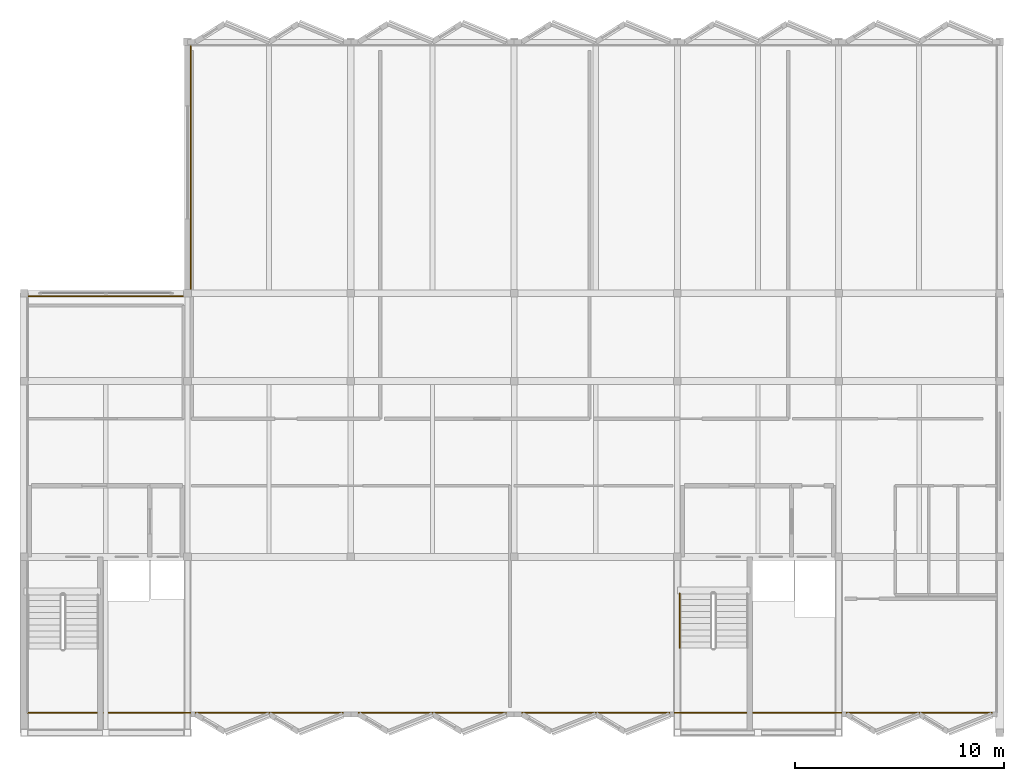
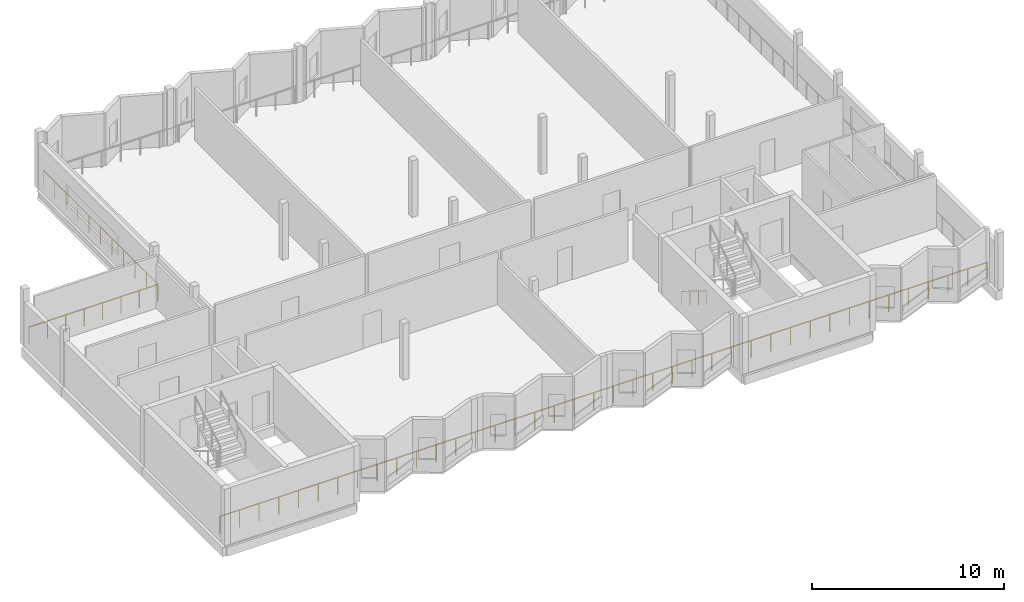
# One storey, part 9 of 11: 4 railings.
"""IFC4 building model written with IfcOpenShell, lengths in metres."""

from ifc_helpers import new_model, si_unit, direction, frame, origin, origin_2d, place, context, subcontext, project, spatial, circle, extrude, material, type_object, element, save


model = new_model("IFC4")

# Units and contexts
model_context = context("Model", 3, precision=1e-05, world=origin(), true_north=direction((0.0, 1.0)))
body_context = subcontext(model_context, "Body", "Model", "MODEL_VIEW")
ifc_project = project(units=[si_unit("LENGTHUNIT", "METRE"), si_unit("AREAUNIT", "SQUARE_METRE"), si_unit("VOLUMEUNIT", "CUBIC_METRE"), si_unit("PLANEANGLEUNIT", "RADIAN"), si_unit("MASSUNIT", "GRAM", prefix="KILO")], contexts=[model_context])

# Site, building, storey
site_placement = place(None, origin())
site = spatial("IfcSite", under=ifc_project, at=site_placement, CompositionType="ELEMENT")
building_placement = place(site_placement, origin())
building = spatial("IfcBuilding", under=site, at=building_placement, Name="Vharandega Faculty of Natural Sciences", CompositionType="ELEMENT")
storey_placement = place(building_placement, frame((0.0, 0.0, 39.60009765625)))
storey = spatial("IfcBuildingStorey", under=building, at=storey_placement, Name="L10", CompositionType="ELEMENT", Elevation=39.60009765625)

# Railings
ifc_material_1 = material(Name="Brushed stainless steel handrail", Category="steel")
railing_type_1 = type_object("IfcRailingType", Name="Stair Tubular Handrail 900", PredefinedType="HANDRAIL", material=ifc_material_1)
railing_1_placement = place(storey_placement, frame((146.110107421875, 70.659912109375, 0.179931640625)))
element("IfcRailing", 1, at=railing_1_placement, inside=storey, type_object=railing_type_1, Name="L10 ST2 stair handrail 1", PredefinedType="HANDRAIL", context=body_context, shape_type="SweptSolid", body=[
    extrude(circle(Radius=0.02392578125, at=origin_2d()), frame((0.0, 0.0, 0.8759765625), z_axis=(0.0, -0.849646306263, 0.527352969322), x_axis=(1.0, 0.0, 0.0)), (0.0, 0.0, 1.0), 3.07177734375),
    extrude(circle(Radius=0.02099609375, at=origin_2d()), origin(), (0.0, 0.0, 1.0), 0.851806640625),
    extrude(circle(Radius=0.02099609375, at=origin_2d()), frame((0.0, -0.869873046875, 0.5400390625)), (0.0, 0.0, 1.0), 0.851806640625),
    extrude(circle(Radius=0.02099609375, at=origin_2d()), frame((0.0, -1.739990234375, 1.079833984375)), (0.0, 0.0, 1.0), 0.851806640625),
    extrude(circle(Radius=0.02099609375, at=origin_2d()), frame((0.0, -2.60986328125, 1.619873046875)), (0.0, 0.0, 1.0), 0.851806640625),
])
ifc_material_2 = material(Name="Galvanised painted steel balustrade", Category="steel")
railing_type_2 = type_object("IfcRailingType", Name="Terrace Steel Guardrail 1100", PredefinedType="GUARDRAIL", material=ifc_material_2)
railing_2_placement = place(storey_placement, frame((114.97509765625, 64.949951171875, 0.0)))
element("IfcRailing", 2, at=railing_2_placement, inside=storey, type_object=railing_type_2, Name="Perimeter Sill Guard L10 #1", PredefinedType="GUARDRAIL", context=body_context, shape_type="SweptSolid", body=[
    extrude(circle(Radius=0.02392578125, at=origin_2d()), frame((0.0, 0.0, 1.076171875), z_axis=(1.0, 0.0, 0.0), x_axis=(0.0, 1.0, 0.0)), (0.0, 0.0, 1.0), 46.25),
    extrude(circle(Radius=0.02099609375, at=origin_2d()), origin(), (0.0, 0.0, 1.0), 1.052001953125),
    extrude(circle(Radius=0.02099609375, at=origin_2d()), frame((1.185791015625, 0.0, 0.0)), (0.0, 0.0, 1.0), 1.052001953125),
    extrude(circle(Radius=0.02099609375, at=origin_2d()), frame((2.371826171875, 0.0, 0.0)), (0.0, 0.0, 1.0), 1.052001953125),
    extrude(circle(Radius=0.02099609375, at=origin_2d()), frame((3.5576171875, 0.0, 0.0)), (0.0, 0.0, 1.0), 1.052001953125),
    extrude(circle(Radius=0.02099609375, at=origin_2d()), frame((4.74365234375, 0.0, 0.0)), (0.0, 0.0, 1.0), 1.052001953125),
    extrude(circle(Radius=0.02099609375, at=origin_2d()), frame((5.929443359375, 0.0, 0.0)), (0.0, 0.0, 1.0), 1.052001953125),
    extrude(circle(Radius=0.02099609375, at=origin_2d()), frame((7.115478515625, 0.0, 0.0)), (0.0, 0.0, 1.0), 1.052001953125),
    extrude(circle(Radius=0.02099609375, at=origin_2d()), frame((8.30126953125, 0.0, 0.0)), (0.0, 0.0, 1.0), 1.052001953125),
    extrude(circle(Radius=0.02099609375, at=origin_2d()), frame((9.487060546875, 0.0, 0.0)), (0.0, 0.0, 1.0), 1.052001953125),
    extrude(circle(Radius=0.02099609375, at=origin_2d()), frame((10.673095703125, 0.0, 0.0)), (0.0, 0.0, 1.0), 1.052001953125),
    extrude(circle(Radius=0.02099609375, at=origin_2d()), frame((11.85888671875, 0.0, 0.0)), (0.0, 0.0, 1.0), 1.052001953125),
    extrude(circle(Radius=0.02099609375, at=origin_2d()), frame((13.044921875, 0.0, 0.0)), (0.0, 0.0, 1.0), 1.052001953125),
    extrude(circle(Radius=0.02099609375, at=origin_2d()), frame((14.230712890625, 0.0, 0.0)), (0.0, 0.0, 1.0), 1.052001953125),
    extrude(circle(Radius=0.02099609375, at=origin_2d()), frame((15.416748046875, 0.0, 0.0)), (0.0, 0.0, 1.0), 1.052001953125),
    extrude(circle(Radius=0.02099609375, at=origin_2d()), frame((16.6025390625, 0.0, 0.0)), (0.0, 0.0, 1.0), 1.052001953125),
    extrude(circle(Radius=0.02099609375, at=origin_2d()), frame((17.78857421875, 0.0, 0.0)), (0.0, 0.0, 1.0), 1.052001953125),
    extrude(circle(Radius=0.02099609375, at=origin_2d()), frame((18.974365234375, 0.0, 0.0)), (0.0, 0.0, 1.0), 1.052001953125),
    extrude(circle(Radius=0.02099609375, at=origin_2d()), frame((20.16015625, 0.0, 0.0)), (0.0, 0.0, 1.0), 1.052001953125),
    extrude(circle(Radius=0.02099609375, at=origin_2d()), frame((21.34619140625, 0.0, 0.0)), (0.0, 0.0, 1.0), 1.052001953125),
    extrude(circle(Radius=0.02099609375, at=origin_2d()), frame((22.531982421875, 0.0, 0.0)), (0.0, 0.0, 1.0), 1.052001953125),
    extrude(circle(Radius=0.02099609375, at=origin_2d()), frame((23.718017578125, 0.0, 0.0)), (0.0, 0.0, 1.0), 1.052001953125),
    extrude(circle(Radius=0.02099609375, at=origin_2d()), frame((24.90380859375, 0.0, 0.0)), (0.0, 0.0, 1.0), 1.052001953125),
    extrude(circle(Radius=0.02099609375, at=origin_2d()), frame((26.08984375, 0.0, 0.0)), (0.0, 0.0, 1.0), 1.052001953125),
    extrude(circle(Radius=0.02099609375, at=origin_2d()), frame((27.275634765625, 0.0, 0.0)), (0.0, 0.0, 1.0), 1.052001953125),
    extrude(circle(Radius=0.02099609375, at=origin_2d()), frame((28.46142578125, 0.0, 0.0)), (0.0, 0.0, 1.0), 1.052001953125),
    extrude(circle(Radius=0.02099609375, at=origin_2d()), frame((29.6474609375, 0.0, 0.0)), (0.0, 0.0, 1.0), 1.052001953125),
    extrude(circle(Radius=0.02099609375, at=origin_2d()), frame((30.833251953125, 0.0, 0.0)), (0.0, 0.0, 1.0), 1.052001953125),
    extrude(circle(Radius=0.02099609375, at=origin_2d()), frame((32.019287109375, 0.0, 0.0)), (0.0, 0.0, 1.0), 1.052001953125),
    extrude(circle(Radius=0.02099609375, at=origin_2d()), frame((33.205078125, 0.0, 0.0)), (0.0, 0.0, 1.0), 1.052001953125),
    extrude(circle(Radius=0.02099609375, at=origin_2d()), frame((34.39111328125, 0.0, 0.0)), (0.0, 0.0, 1.0), 1.052001953125),
    extrude(circle(Radius=0.02099609375, at=origin_2d()), frame((35.576904296875, 0.0, 0.0)), (0.0, 0.0, 1.0), 1.052001953125),
    extrude(circle(Radius=0.02099609375, at=origin_2d()), frame((36.762939453125, 0.0, 0.0)), (0.0, 0.0, 1.0), 1.052001953125),
    extrude(circle(Radius=0.02099609375, at=origin_2d()), frame((37.94873046875, 0.0, 0.0)), (0.0, 0.0, 1.0), 1.052001953125),
    extrude(circle(Radius=0.02099609375, at=origin_2d()), frame((39.134521484375, 0.0, 0.0)), (0.0, 0.0, 1.0), 1.052001953125),
    extrude(circle(Radius=0.02099609375, at=origin_2d()), frame((40.320556640625, 0.0, 0.0)), (0.0, 0.0, 1.0), 1.052001953125),
    extrude(circle(Radius=0.02099609375, at=origin_2d()), frame((41.50634765625, 0.0, 0.0)), (0.0, 0.0, 1.0), 1.052001953125),
    extrude(circle(Radius=0.02099609375, at=origin_2d()), frame((42.6923828125, 0.0, 0.0)), (0.0, 0.0, 1.0), 1.052001953125),
    extrude(circle(Radius=0.02099609375, at=origin_2d()), frame((43.878173828125, 0.0, 0.0)), (0.0, 0.0, 1.0), 1.052001953125),
    extrude(circle(Radius=0.02099609375, at=origin_2d()), frame((45.064208984375, 0.0, 0.0)), (0.0, 0.0, 1.0), 1.052001953125),
    extrude(circle(Radius=0.02099609375, at=origin_2d()), frame((46.25, 0.0, 0.0)), (0.0, 0.0, 1.0), 1.052001953125),
])
railing_3_placement = place(storey_placement, frame((122.75, 96.824951171875, 0.0)))
element("IfcRailing", 3, at=railing_3_placement, inside=storey, type_object=railing_type_2, Name="Perimeter Sill Guard L10 #4", PredefinedType="GUARDRAIL", context=body_context, shape_type="SweptSolid", body=[
    extrude(circle(Radius=0.02392578125, at=origin_2d()), frame((0.0, 0.0, 1.076171875), z_axis=(0.0, -1.0, 0.0), x_axis=(1.0, 0.0, 0.0)), (0.0, 0.0, 1.0), 11.949951171875),
    extrude(circle(Radius=0.02099609375, at=origin_2d()), origin(), (0.0, 0.0, 1.0), 1.052001953125),
    extrude(circle(Radius=0.02099609375, at=origin_2d()), frame((0.0, -1.195068359375, 0.0)), (0.0, 0.0, 1.0), 1.052001953125),
    extrude(circle(Radius=0.02099609375, at=origin_2d()), frame((0.0, -2.389892578125, 0.0)), (0.0, 0.0, 1.0), 1.052001953125),
    extrude(circle(Radius=0.02099609375, at=origin_2d()), frame((0.0, -3.5849609375, 0.0)), (0.0, 0.0, 1.0), 1.052001953125),
    extrude(circle(Radius=0.02099609375, at=origin_2d()), frame((0.0, -4.780029296875, 0.0)), (0.0, 0.0, 1.0), 1.052001953125),
    extrude(circle(Radius=0.02099609375, at=origin_2d()), frame((0.0, -5.97509765625, 0.0)), (0.0, 0.0, 1.0), 1.052001953125),
    extrude(circle(Radius=0.02099609375, at=origin_2d()), frame((0.0, -7.169921875, 0.0)), (0.0, 0.0, 1.0), 1.052001953125),
    extrude(circle(Radius=0.02099609375, at=origin_2d()), frame((0.0, -8.364990234375, 0.0)), (0.0, 0.0, 1.0), 1.052001953125),
    extrude(circle(Radius=0.02099609375, at=origin_2d()), frame((0.0, -9.56005859375, 0.0)), (0.0, 0.0, 1.0), 1.052001953125),
    extrude(circle(Radius=0.02099609375, at=origin_2d()), frame((0.0, -10.7548828125, 0.0)), (0.0, 0.0, 1.0), 1.052001953125),
    extrude(circle(Radius=0.02099609375, at=origin_2d()), frame((0.0, -11.949951171875, 0.0)), (0.0, 0.0, 1.0), 1.052001953125),
])
railing_4_placement = place(storey_placement, frame((122.72509765625, 84.85009765625, 0.0)))
element("IfcRailing", 4, at=railing_4_placement, inside=storey, type_object=railing_type_2, Name="Perimeter Sill Guard L10 #5", PredefinedType="GUARDRAIL", context=body_context, shape_type="SweptSolid", body=[
    extrude(circle(Radius=0.02392578125, at=origin_2d()), frame((0.0, 0.0, 1.076171875), z_axis=(-1.0, 0.0, 0.0), x_axis=(0.0, -1.0, 0.0)), (0.0, 0.0, 1.0), 7.75),
    extrude(circle(Radius=0.02099609375, at=origin_2d()), origin(), (0.0, 0.0, 1.0), 1.052001953125),
    extrude(circle(Radius=0.02099609375, at=origin_2d()), frame((-1.107177734375, 0.0, 0.0)), (0.0, 0.0, 1.0), 1.052001953125),
    extrude(circle(Radius=0.02099609375, at=origin_2d()), frame((-2.21435546875, 0.0, 0.0)), (0.0, 0.0, 1.0), 1.052001953125),
    extrude(circle(Radius=0.02099609375, at=origin_2d()), frame((-3.321533203125, 0.0, 0.0)), (0.0, 0.0, 1.0), 1.052001953125),
    extrude(circle(Radius=0.02099609375, at=origin_2d()), frame((-4.428466796875, 0.0, 0.0)), (0.0, 0.0, 1.0), 1.052001953125),
    extrude(circle(Radius=0.02099609375, at=origin_2d()), frame((-5.53564453125, 0.0, 0.0)), (0.0, 0.0, 1.0), 1.052001953125),
    extrude(circle(Radius=0.02099609375, at=origin_2d()), frame((-6.642822265625, 0.0, 0.0)), (0.0, 0.0, 1.0), 1.052001953125),
    extrude(circle(Radius=0.02099609375, at=origin_2d()), frame((-7.75, 0.0, 0.0)), (0.0, 0.0, 1.0), 1.052001953125),
])

save(model, "model.ifc")
